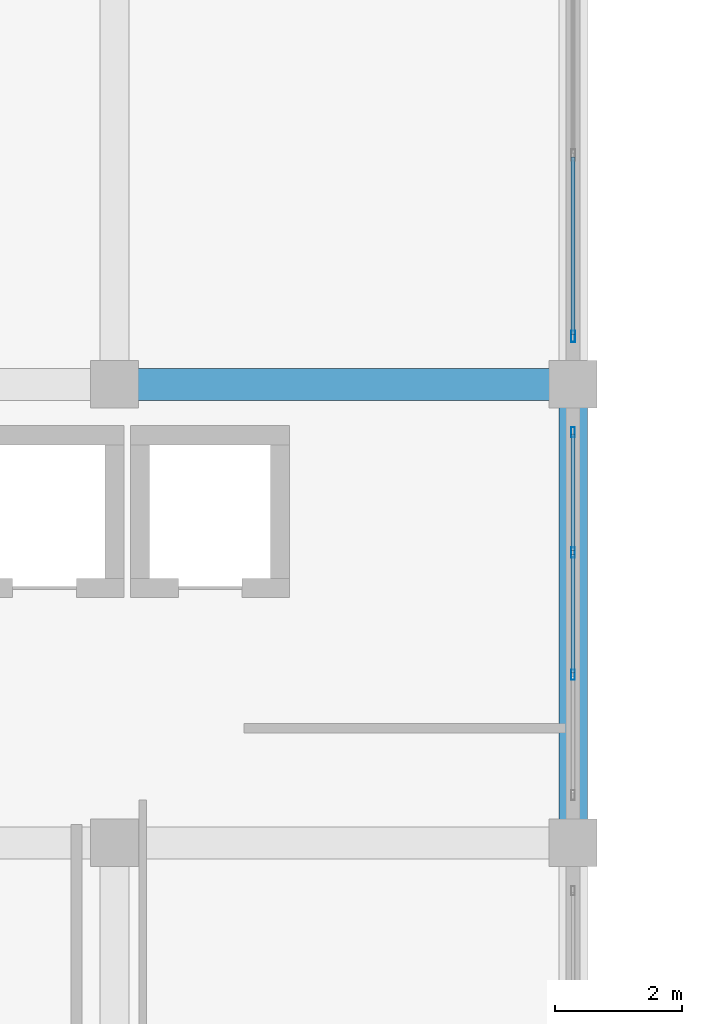
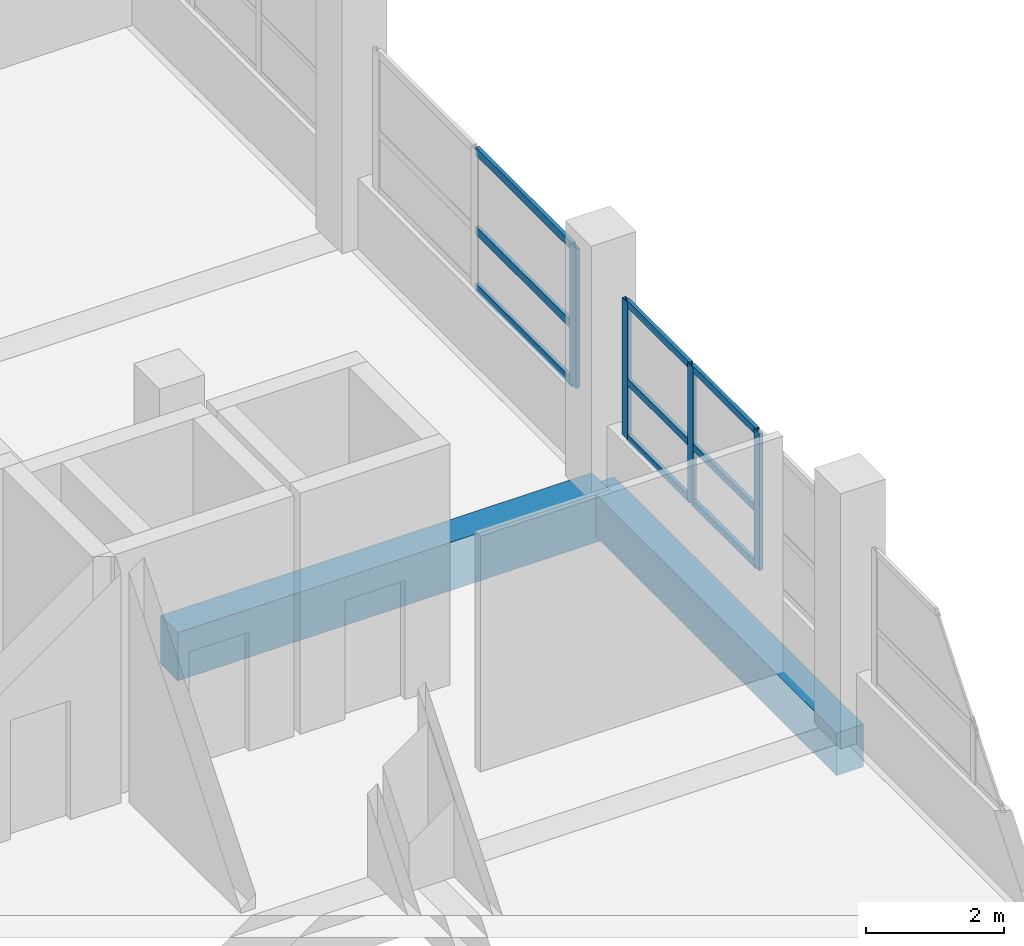
# One storey, part 53 of 141: 13 members, 2 beams, 2 elements without a shape of their own.
"""IFC4 building model written with IfcOpenShell, lengths in metres."""

from ifc_helpers import new_model, si_unit, direction, frame, origin, origin_2d, place, context, subcontext, project, spatial, rectangle, hollow_rectangle, extrude, material, layer, layer_set, material_profile, profile_set, type_object, element, aggregate, save


model = new_model("IFC4")

# Units and contexts
model_context = context("Model", 3, precision=1e-05, world=origin(), true_north=direction((0.0, 1.0)))
body_context = subcontext(model_context, "Body", "Model", "MODEL_VIEW")
ifc_project = project(units=[si_unit("LENGTHUNIT", "METRE"), si_unit("AREAUNIT", "SQUARE_METRE"), si_unit("VOLUMEUNIT", "CUBIC_METRE"), si_unit("PLANEANGLEUNIT", "RADIAN"), si_unit("MASSUNIT", "GRAM", prefix="KILO")], contexts=[model_context])

# Site, building, storey
site_placement = place(None, origin())
site = spatial("IfcSite", under=ifc_project, at=site_placement, CompositionType="ELEMENT")
building_placement = place(site_placement, origin())
building = spatial("IfcBuilding", under=site, at=building_placement, Name="Seraya Terrace Polytechnic", CompositionType="ELEMENT")
storey_placement = place(building_placement, frame((0.0, 0.0, 14.39990234375)))
storey = spatial("IfcBuildingStorey", under=building, at=storey_placement, Name="L03", CompositionType="ELEMENT", Elevation=14.39990234375)

# Beams
ifc_material_1 = material(Name="Concrete C40/50", Category="concrete")
ifc_material_profile_1 = material_profile(ifc_material_1, rectangle(XDim=0.5, YDim=0.85009765625, at=origin_2d()), Name="RC 500x850")
ifc_profile_set_1 = profile_set([ifc_material_profile_1], Name="Concrete C40/50")
beam_type_1 = type_object("IfcBeamType", Name="BM-05", PredefinedType="BEAM", material=ifc_profile_set_1)
beam_1_placement = place(storey_placement, frame((100.800048828125, 43.199951171875, -0.4248046875), z_axis=(1.0, 0.0, 0.0), x_axis=(0.0, 1.0, 0.0)))
element("IfcBeam", 1, at=beam_1_placement, inside=storey, type_object=beam_type_1, Name="Beam BM-05 L03 X (100.8..108.0, 43.2)", PredefinedType="BEAM", context=body_context, shape_type="SweptSolid", body=[
    extrude(rectangle(XDim=0.5, YDim=0.85009765625, at=origin_2d()), origin(), (0.0, 0.0, 1.0), 7.199951171875),
])
ifc_material_profile_2 = material_profile(ifc_material_1, rectangle(XDim=0.449951171875, YDim=0.75, at=origin_2d()), Name="RC 450x750")
ifc_profile_set_2 = profile_set([ifc_material_profile_2], Name="Concrete C40/50")
beam_type_2 = type_object("IfcBeamType", Name="BM-08", PredefinedType="BEAM", material=ifc_profile_set_2)
beam_2_placement = place(storey_placement, frame((108.0, 36.0, -0.375), z_axis=(0.0, 1.0, 0.0), x_axis=(-1.0, 0.0, 0.0)))
element("IfcBeam", 2, at=beam_2_placement, inside=storey, type_object=beam_type_2, Name="Beam BM-08 L03 Y (108.0, 36.0..43.2)", PredefinedType="BEAM", context=body_context, shape_type="SweptSolid", body=[
    extrude(rectangle(XDim=0.449951171875, YDim=0.75, at=origin_2d()), origin(), (0.0, 0.0, 1.0), 7.199951171875),
])

# Curtain wall, member
ifc_material_2 = material(Name="Anodised aluminium EN AW-6063 T6", Category="aluminium")
ifc_layer_1 = layer(ifc_material_2, 0.179931640625, Name="CW-22")
ifc_layer_set_1 = layer_set([ifc_layer_1], Name="Anodised aluminium EN AW-6063 T6")
curtain_wall_type_1 = type_object("IfcCurtainWallType", Name="CW-22", PredefinedType="NOTDEFINED", material=ifc_layer_set_1)
curtain_wall_1_placement = place(storey_placement, origin())
curtain_wall_1 = element("IfcCurtainWall", 3, at=curtain_wall_1_placement, inside=storey, type_object=curtain_wall_type_1, Name="Unitised curtain wall CW-22 (CW-L03-130)", PredefinedType="NOTDEFINED")
ifc_material_profile_3 = material_profile(ifc_material_2, hollow_rectangle(XDim=0.06494140625, YDim=0.179931640625, WallThickness=0.00390625, at=origin_2d()), Name="RHS 180x65x4.0")
ifc_profile_set_3 = profile_set([ifc_material_profile_3], Name="Anodised aluminium EN AW-6063 T6")
member_type_1 = type_object("IfcMemberType", Name="CWM-01", PredefinedType="MULLION", material=ifc_profile_set_3)
member_1_placement = place(storey_placement, frame((108.0, 43.952392578125, 1.239990234375), z_axis=(0.0, 0.0, 1.0), x_axis=(1.0, 0.0, 0.0)))
member_1 = element("IfcMember", 4, at=member_1_placement, type_object=member_type_1, Name="CW-22 mullion 3", PredefinedType="MULLION", context=body_context, shape_type="SweptSolid", body=[
    extrude(hollow_rectangle(XDim=0.06494140625, YDim=0.179931640625, WallThickness=0.00390625, at=origin_2d()), origin(), (0.0, 0.0, 1.0), 2.460205078125),
])

# Curtain wall, members
ifc_layer_2 = layer(ifc_material_2, 0.179931640625, Name="CW-23")
ifc_layer_set_2 = layer_set([ifc_layer_2], Name="Anodised aluminium EN AW-6063 T6")
curtain_wall_type_2 = type_object("IfcCurtainWallType", Name="CW-23", PredefinedType="NOTDEFINED", material=ifc_layer_set_2)
curtain_wall_2_placement = place(storey_placement, origin())
curtain_wall_2 = element("IfcCurtainWall", 5, at=curtain_wall_2_placement, inside=storey, type_object=curtain_wall_type_2, Name="Unitised curtain wall CW-23 (CW-L03-131)", PredefinedType="NOTDEFINED")
ifc_material_profile_4 = material_profile(ifc_material_2, hollow_rectangle(XDim=0.06005859375, YDim=0.159912109375, WallThickness=0.00341796875, at=origin_2d()), Name="RHS 160x60x3.5")
ifc_profile_set_4 = profile_set([ifc_material_profile_4], Name="Anodised aluminium EN AW-6063 T6")
member_type_2 = type_object("IfcMemberType", Name="CWM-02", PredefinedType="MULLION", material=ifc_profile_set_4)
member_2_placement = place(storey_placement, frame((108.0, 42.449951171875, 1.239990234375), z_axis=(0.0, 0.0, 1.0), x_axis=(1.0, 0.0, 0.0)))
member_2 = element("IfcMember", 6, at=member_2_placement, type_object=member_type_2, Name="CW-23 mullion 1", PredefinedType="MULLION", context=body_context, shape_type="SweptSolid", body=[
    extrude(hollow_rectangle(XDim=0.06005859375, YDim=0.159912109375, WallThickness=0.00341796875, at=origin_2d()), origin(), (0.0, 0.0, 1.0), 2.420166015625),
])
member_3_placement = place(storey_placement, frame((108.0, 40.56005859375, 1.239990234375), z_axis=(0.0, 0.0, 1.0), x_axis=(1.0, 0.0, 0.0)))
member_3 = element("IfcMember", 7, at=member_3_placement, type_object=member_type_2, Name="CW-23 mullion 2", PredefinedType="MULLION", context=body_context, shape_type="SweptSolid", body=[
    extrude(hollow_rectangle(XDim=0.06005859375, YDim=0.159912109375, WallThickness=0.00341796875, at=origin_2d()), origin(), (0.0, 0.0, 1.0), 2.420166015625),
])
member_4_placement = place(storey_placement, frame((108.0, 38.639892578125, 1.239990234375), z_axis=(0.0, 0.0, 1.0), x_axis=(1.0, 0.0, 0.0)))
member_4 = element("IfcMember", 8, at=member_4_placement, type_object=member_type_2, Name="CW-23 mullion 3", PredefinedType="MULLION", context=body_context, shape_type="SweptSolid", body=[
    extrude(hollow_rectangle(XDim=0.06005859375, YDim=0.159912109375, WallThickness=0.00341796875, at=origin_2d()), origin(), (0.0, 0.0, 1.0), 2.420166015625),
])

# Member
ifc_material_profile_5 = material_profile(ifc_material_2, hollow_rectangle(XDim=0.06005859375, YDim=0.139892578125, WallThickness=0.00341796875, at=origin_2d()), Name="RHS 140x60x3.5")
ifc_profile_set_5 = profile_set([ifc_material_profile_5], Name="Anodised aluminium EN AW-6063 T6")
member_type_3 = type_object("IfcMemberType", Name="CWT-01", PredefinedType="USERDEFINED", material=ifc_profile_set_5)
member_5_placement = place(storey_placement, frame((108.0, 46.767578125, 1.27001953125), z_axis=(0.0, -1.0, 0.0), x_axis=(1.0, 0.0, 0.0)))
member_5 = element("IfcMember", 9, at=member_5_placement, type_object=member_type_3, Name="CW-22 transom 2.1", ObjectType="TRANSOM", PredefinedType="USERDEFINED", context=body_context, shape_type="SweptSolid", body=[
    extrude(hollow_rectangle(XDim=0.06005859375, YDim=0.139892578125, WallThickness=0.00341796875, at=origin_2d()), origin(), (0.0, 0.0, 1.0), 2.782470703125),
])

member_6_placement = place(storey_placement, frame((108.0, 46.767578125, 2.273193359375), z_axis=(0.0, -1.0, 0.0), x_axis=(1.0, 0.0, 0.0)))
member_6 = element("IfcMember", 10, at=member_6_placement, type_object=member_type_3, Name="CW-22 transom 2.2", ObjectType="TRANSOM", PredefinedType="USERDEFINED", context=body_context, shape_type="SweptSolid", body=[
    extrude(hollow_rectangle(XDim=0.06005859375, YDim=0.139892578125, WallThickness=0.00341796875, at=origin_2d()), origin(), (0.0, 0.0, 1.0), 2.782470703125),
])

member_7_placement = place(storey_placement, frame((108.0, 46.767578125, 3.670166015625), z_axis=(0.0, -1.0, 0.0), x_axis=(1.0, 0.0, 0.0)))
member_7 = element("IfcMember", 11, at=member_7_placement, type_object=member_type_3, Name="CW-22 transom 2.3", ObjectType="TRANSOM", PredefinedType="USERDEFINED", context=body_context, shape_type="SweptSolid", body=[
    extrude(hollow_rectangle(XDim=0.06005859375, YDim=0.139892578125, WallThickness=0.00341796875, at=origin_2d()), origin(), (0.0, 0.0, 1.0), 2.782470703125),
])

aggregate(curtain_wall_1, [member_1, member_5, member_6, member_7])

ifc_material_profile_6 = material_profile(ifc_material_2, hollow_rectangle(XDim=0.06005859375, YDim=0.1201171875, WallThickness=0.003173828125, at=origin_2d()), Name="RHS 120x60x3.2")
ifc_profile_set_6 = profile_set([ifc_material_profile_6], Name="Anodised aluminium EN AW-6063 T6")
member_type_4 = type_object("IfcMemberType", Name="CWT-02", PredefinedType="USERDEFINED", material=ifc_profile_set_6)
member_8_placement = place(storey_placement, frame((108.0, 42.419921875, 1.27001953125), z_axis=(0.0, -1.0, 0.0), x_axis=(1.0, 0.0, 0.0)))
member_8 = element("IfcMember", 12, at=member_8_placement, type_object=member_type_4, Name="CW-23 transom 1.1", ObjectType="TRANSOM", PredefinedType="USERDEFINED", context=body_context, shape_type="SweptSolid", body=[
    extrude(hollow_rectangle(XDim=0.06005859375, YDim=0.1201171875, WallThickness=0.003173828125, at=origin_2d()), origin(), (0.0, 0.0, 1.0), 1.829833984375),
])

member_9_placement = place(storey_placement, frame((108.0, 42.419921875, 2.256591796875), z_axis=(0.0, -1.0, 0.0), x_axis=(1.0, 0.0, 0.0)))
member_9 = element("IfcMember", 13, at=member_9_placement, type_object=member_type_4, Name="CW-23 transom 1.2", ObjectType="TRANSOM", PredefinedType="USERDEFINED", context=body_context, shape_type="SweptSolid", body=[
    extrude(hollow_rectangle(XDim=0.06005859375, YDim=0.1201171875, WallThickness=0.003173828125, at=origin_2d()), origin(), (0.0, 0.0, 1.0), 1.829833984375),
])

member_10_placement = place(storey_placement, frame((108.0, 42.419921875, 3.630126953125), z_axis=(0.0, -1.0, 0.0), x_axis=(1.0, 0.0, 0.0)))
member_10 = element("IfcMember", 14, at=member_10_placement, type_object=member_type_4, Name="CW-23 transom 1.3", ObjectType="TRANSOM", PredefinedType="USERDEFINED", context=body_context, shape_type="SweptSolid", body=[
    extrude(hollow_rectangle(XDim=0.06005859375, YDim=0.1201171875, WallThickness=0.003173828125, at=origin_2d()), origin(), (0.0, 0.0, 1.0), 1.829833984375),
])

member_11_placement = place(storey_placement, frame((108.0, 40.530029296875, 1.27001953125), z_axis=(0.0, -1.0, 0.0), x_axis=(1.0, 0.0, 0.0)))
member_11 = element("IfcMember", 15, at=member_11_placement, type_object=member_type_4, Name="CW-23 transom 2.1", ObjectType="TRANSOM", PredefinedType="USERDEFINED", context=body_context, shape_type="SweptSolid", body=[
    extrude(hollow_rectangle(XDim=0.06005859375, YDim=0.1201171875, WallThickness=0.003173828125, at=origin_2d()), origin(), (0.0, 0.0, 1.0), 1.860107421875),
])

member_12_placement = place(storey_placement, frame((108.0, 40.530029296875, 2.256591796875), z_axis=(0.0, -1.0, 0.0), x_axis=(1.0, 0.0, 0.0)))
member_12 = element("IfcMember", 16, at=member_12_placement, type_object=member_type_4, Name="CW-23 transom 2.2", ObjectType="TRANSOM", PredefinedType="USERDEFINED", context=body_context, shape_type="SweptSolid", body=[
    extrude(hollow_rectangle(XDim=0.06005859375, YDim=0.1201171875, WallThickness=0.003173828125, at=origin_2d()), origin(), (0.0, 0.0, 1.0), 1.860107421875),
])

member_13_placement = place(storey_placement, frame((108.0, 40.530029296875, 3.630126953125), z_axis=(0.0, -1.0, 0.0), x_axis=(1.0, 0.0, 0.0)))
member_13 = element("IfcMember", 17, at=member_13_placement, type_object=member_type_4, Name="CW-23 transom 2.3", ObjectType="TRANSOM", PredefinedType="USERDEFINED", context=body_context, shape_type="SweptSolid", body=[
    extrude(hollow_rectangle(XDim=0.06005859375, YDim=0.1201171875, WallThickness=0.003173828125, at=origin_2d()), origin(), (0.0, 0.0, 1.0), 1.860107421875),
])

aggregate(curtain_wall_2, [member_2, member_3, member_4, member_8, member_9, member_10, member_11, member_12, member_13])

save(model, "model.ifc")
